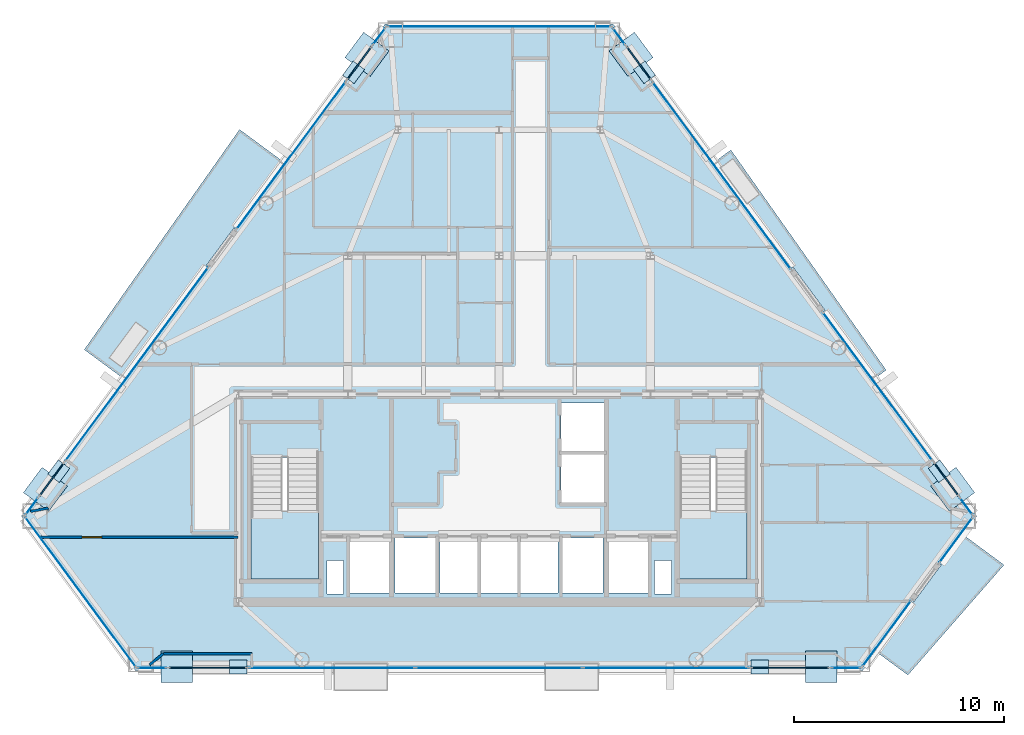
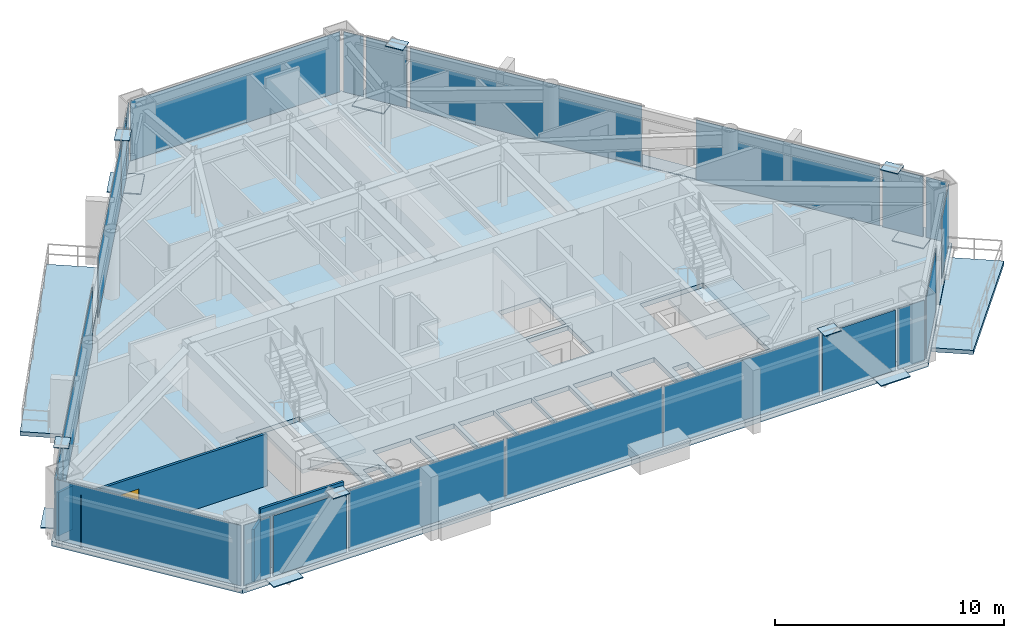
# One storey, part 7 of 13: 35 plates, 6 slabs, 4 walls, 1 door, 1 opening, 23 elements without a shape of their own.
"""IFC4 building model written with IfcOpenShell, lengths in metres."""

import ifcopenshell
import ifcopenshell.guid

model = None  # the IFC model being written
_history = None  # IfcOwnerHistory: only IFC2X3 demands one
_inside = {}  # id of a spatial element -> (the spatial element, [elements in it])
_under = {}  # id of a project, library or spatial element -> (it, [spatial elements below it])
_declared = {}  # id of a project -> (the project, [libraries it declares])
_typed = {}  # id of a type object -> (the type object, [elements of that type])
_made_of = {}  # id of a material, layer set ... -> (it, [elements and type objects made of it])


def new_model(schema):
    """Start an empty IFC model of exactly this schema.

    Asked for "IFC4X3", IfcOpenShell would pick the latest addendum, in which some entities
    have other attributes; the version numbers below select the first issue.
    IFC2X3 requires an IfcOwnerHistory on every rooted entity: one is made here for all.
    """
    global model, _history
    if schema == "IFC4X3":
        model = ifcopenshell.file(schema_version=(4, 3, 0, 0))
    else:
        model = ifcopenshell.file(schema=schema)
    _inside.clear()
    _under.clear()
    _declared.clear()
    _typed.clear()
    _made_of.clear()
    _history = None
    if model.schema == "IFC2X3":
        org = make("IfcOrganization", Name="unknown")
        user = make(
            "IfcPersonAndOrganization",
            ThePerson=make("IfcPerson", FamilyName="unknown"),
            TheOrganization=org,
        )
        app = make(
            "IfcApplication",
            ApplicationDeveloper=org,
            Version="unknown",
            ApplicationFullName="unknown",
            ApplicationIdentifier="unknown",
        )
        _history = make(
            "IfcOwnerHistory",
            OwningUser=user,
            OwningApplication=app,
            ChangeAction="ADDED",
            CreationDate=0,
        )
    return model


def make(cls, **values):
    """One entity of the class cls with the attributes given. An attribute that is None is left unset."""
    return model.create_entity(
        cls, **{name: value for name, value in values.items() if value is not None}
    )


def rooted(cls, **values):
    """An entity with a GlobalId (a new one), such as an element, a storey or a relation."""
    return make(cls, GlobalId=ifcopenshell.guid.new(), OwnerHistory=_history, **values)


def si_unit(unit_type, name, prefix=None):
    """IfcSIUnit, for example si_unit("LENGTHUNIT", "METRE", prefix="MILLI")."""
    return make("IfcSIUnit", UnitType=unit_type, Prefix=prefix, Name=name)


def assignment(units):
    """IfcUnitAssignment: the units of a project."""
    return None if units is None else make("IfcUnitAssignment", Units=units)


def point(xyz):
    """IfcCartesianPoint."""
    return None if xyz is None else make("IfcCartesianPoint", Coordinates=xyz)


def direction(xyz):
    """IfcDirection."""
    return None if xyz is None else make("IfcDirection", DirectionRatios=xyz)


def frame(location, z_axis=None, x_axis=None):
    """IfcAxis2Placement3D, a coordinate frame: its origin and axes. An axis left out is left unset."""
    return make(
        "IfcAxis2Placement3D",
        Location=point(location),
        Axis=direction(z_axis),
        RefDirection=direction(x_axis),
    )


def frame_2d(location, x_axis=None):
    """IfcAxis2Placement2D, a coordinate frame in the plane: its origin and x axis."""
    return make(
        "IfcAxis2Placement2D", Location=point(location), RefDirection=direction(x_axis)
    )


def origin():
    """The frame at (0, 0, 0) with its axes left unset."""
    return frame((0.0, 0.0, 0.0))


def origin_2d():
    """The frame at (0, 0) in the plane with its x axis left unset."""
    return frame_2d((0.0, 0.0))


def place(relative_to, where):
    """IfcLocalPlacement: puts the frame where relative to a parent placement (None: the world)."""
    return make(
        "IfcLocalPlacement", PlacementRelTo=relative_to, RelativePlacement=where
    )


def context(
    kind, dimensions, precision=None, world=None, true_north=None, identifier=None
):
    """IfcGeometricRepresentationContext, for example the 3D "Model" context."""
    return make(
        "IfcGeometricRepresentationContext",
        ContextIdentifier=identifier,
        ContextType=kind,
        CoordinateSpaceDimension=dimensions,
        Precision=precision,
        WorldCoordinateSystem=world,
        TrueNorth=true_north,
    )


def subcontext(parent, identifier, kind, view, scale=None):
    """IfcGeometricRepresentationSubContext, for example "Body" below "Model"."""
    return make(
        "IfcGeometricRepresentationSubContext",
        ContextIdentifier=identifier,
        ContextType=kind,
        ParentContext=parent,
        TargetScale=scale,
        TargetView=view,
    )


def project(units=None, contexts=None):
    """IfcProject with its units and contexts."""
    return rooted(
        "IfcProject",
        Name="project",
        RepresentationContexts=contexts,
        UnitsInContext=assignment(units),
    )


def spatial(cls, under=None, at=None, **own):
    """A site, building, storey or space (cls), placed at a placement, below another one or the project."""
    s = rooted(cls, ObjectPlacement=at, **own)
    if under is not None:
        _under.setdefault(under.id(), (under, []))[1].append(s)
    return s


def polyline(points):
    """IfcPolyline through the points."""
    return make("IfcPolyline", Points=[point(p) for p in points])


def profile(cls, at=None, kind="AREA", **sizes):
    """A parametric profile (cls). Its sizes go by their IFC names, for example OverallWidth=200.0."""
    return make(cls, ProfileType=kind, Position=at, **sizes)


def rectangle(**sizes):
    """IfcRectangleProfileDef."""
    return profile("IfcRectangleProfileDef", **sizes)


def outline(outer, holes=None, kind="AREA"):
    """IfcArbitraryClosedProfileDef: a profile drawn as a closed curve; with holes, ...WithVoids."""
    if holes is None:
        return make("IfcArbitraryClosedProfileDef", ProfileType=kind, OuterCurve=outer)
    return make(
        "IfcArbitraryProfileDefWithVoids",
        ProfileType=kind,
        OuterCurve=outer,
        InnerCurves=holes,
    )


def extrude(swept, where, along, depth):
    """IfcExtrudedAreaSolid: the profile swept, set in the frame where, extruded along a direction by depth."""
    return make(
        "IfcExtrudedAreaSolid",
        SweptArea=swept,
        Position=where,
        ExtrudedDirection=direction(along),
        Depth=depth,
    )


def shape(context_of_items, identifier, shape_type, items):
    """IfcShapeRepresentation: the items that make up one representation, for example the "Body"."""
    return make(
        "IfcShapeRepresentation",
        ContextOfItems=context_of_items,
        RepresentationIdentifier=identifier,
        RepresentationType=shape_type,
        Items=items,
    )


def source(mapping_origin, context_of_items, identifier, shape_type, items):
    """IfcRepresentationMap: a shape defined once, which mapped items show again and again."""
    return make(
        "IfcRepresentationMap",
        MappingOrigin=mapping_origin,
        MappedRepresentation=shape(context_of_items, identifier, shape_type, items),
    )


def transform(
    local_origin,
    x_axis=None,
    y_axis=None,
    z_axis=None,
    scale=None,
    scale2=None,
    scale3=None,
    uniform=True,
):
    """IfcCartesianTransformationOperator3D, or its non-uniform kind. x_axis, y_axis, z_axis: its Axis1, 2, 3."""
    if uniform:
        return make(
            "IfcCartesianTransformationOperator3D",
            Axis1=direction(x_axis),
            Axis2=direction(y_axis),
            LocalOrigin=point(local_origin),
            Scale=scale,
            Axis3=direction(z_axis),
        )
    return make(
        "IfcCartesianTransformationOperator3DnonUniform",
        Axis1=direction(x_axis),
        Axis2=direction(y_axis),
        LocalOrigin=point(local_origin),
        Scale=scale,
        Axis3=direction(z_axis),
        Scale2=scale2,
        Scale3=scale3,
    )


def mapped(mapping_source, mapping_target):
    """IfcMappedItem: shows the shape of a source again, moved by a transform."""
    return make(
        "IfcMappedItem", MappingSource=mapping_source, MappingTarget=mapping_target
    )


def material(Name=None, Category=None):
    """IfcMaterial."""
    return make("IfcMaterial", Name=Name, Category=Category)


def layer(
    of_material, thickness, ventilated=None, Name=None, Category=None, Priority=None
):
    """IfcMaterialLayer: one layer of a wall or slab, of a material (None: an air gap)."""
    return make(
        "IfcMaterialLayer",
        Material=of_material,
        LayerThickness=thickness,
        IsVentilated=ventilated,
        Name=Name,
        Category=Category,
        Priority=Priority,
    )


def layer_set(layers, Name=None):
    """IfcMaterialLayerSet."""
    return make("IfcMaterialLayerSet", MaterialLayers=layers, LayerSetName=Name)


def made_of(thing, what):
    """Note that an element or type object is made of a material, layer set ...; save() writes the relation."""
    if what is not None:
        _made_of.setdefault(what.id(), (what, []))[1].append(thing)
    return thing


def type_object(cls, material=None, **own):
    """A type object (cls), such as IfcWallType, which elements share."""
    return made_of(rooted(cls, **own), material)


def type_shapes(of_type, sources):
    """Give a type object the sources (RepresentationMaps) that its elements show as mapped items."""
    of_type.RepresentationMaps = sources


def element(
    cls,
    number,
    at=None,
    inside=None,
    cuts=None,
    type_object=None,
    material=None,
    context=None,
    identifier="Body",
    shape_type=None,
    held_by="IfcProductDefinitionShape",
    body=None,
    shapes=None,
    **own,
):
    """One element of the class cls, such as IfcWall. Its Tag is "e" and its number.

    at: its placement. inside: the storey or other place that contains it. cuts: it is an
    opening in that element (IfcRelVoidsElement). A single representation is given by context,
    identifier, shape_type and body (its items); several are given by shapes. held_by: the class
    of the entity that holds the representations. save() writes the other relations.
    """
    e = rooted(cls, Tag="e%d" % number, ObjectPlacement=at, **own)
    if body is not None:
        shapes = [shape(context, identifier, shape_type, body)]
    if shapes is not None:
        e.Representation = make(held_by, Representations=shapes)
    if inside is not None:
        _inside.setdefault(inside.id(), (inside, []))[1].append(e)
    if cuts is not None:
        rooted(
            "IfcRelVoidsElement", RelatingBuildingElement=cuts, RelatedOpeningElement=e
        )
    if type_object is not None:
        _typed.setdefault(type_object.id(), (type_object, []))[1].append(e)
    return made_of(e, material)


def fill(opening, filler):
    """IfcRelFillsElement: the door or window that sits in an opening."""
    return rooted(
        "IfcRelFillsElement",
        RelatingOpeningElement=opening,
        RelatedBuildingElement=filler,
    )


def aggregate(whole, parts):
    """IfcRelAggregates: a whole, such as a stair, and the parts it consists of."""
    return rooted("IfcRelAggregates", RelatingObject=whole, RelatedObjects=parts)


def save(model, path):
    """Write the relations noted so far, then the file.

    IfcRelAggregates (storeys below a building ...), IfcRelContainedInSpatialStructure (elements
    in a storey), IfcRelDefinesByType, IfcRelAssociatesMaterial and IfcRelDeclares: one each for
    every whole, place, type object, material and project.
    """
    for whole, parts in _under.values():
        aggregate(whole, parts)
    for where, things in _inside.values():
        rooted(
            "IfcRelContainedInSpatialStructure",
            RelatedElements=things,
            RelatingStructure=where,
        )
    for kind, things in _typed.values():
        rooted("IfcRelDefinesByType", RelatedObjects=things, RelatingType=kind)
    for what, things in _made_of.values():
        rooted("IfcRelAssociatesMaterial", RelatedObjects=things, RelatingMaterial=what)
    for by, libraries in _declared.values():
        rooted("IfcRelDeclares", RelatingContext=by, RelatedDefinitions=libraries)
    model.write(path)


model = new_model("IFC4")

# Units and contexts
model_context = context("Model", 3, precision=1e-05, world=origin(), true_north=direction((0.0, 1.0)))
body_context = subcontext(model_context, "Body", "Model", "MODEL_VIEW")
ifc_project = project(units=[si_unit("LENGTHUNIT", "METRE"), si_unit("AREAUNIT", "SQUARE_METRE"), si_unit("VOLUMEUNIT", "CUBIC_METRE"), si_unit("PLANEANGLEUNIT", "RADIAN"), si_unit("MASSUNIT", "GRAM", prefix="KILO")], contexts=[model_context])

# Site, building, storey
site_placement = place(None, origin())
site = spatial("IfcSite", under=ifc_project, at=site_placement, CompositionType="ELEMENT")
building_placement = place(site_placement, origin())
building = spatial("IfcBuilding", under=site, at=building_placement, Name="Talgorran Terracotta Tower", CompositionType="ELEMENT")
storey_placement = place(building_placement, frame((0.0, 0.0, 132.89990234375)))
storey = spatial("IfcBuildingStorey", under=building, at=storey_placement, Name="L34", CompositionType="ELEMENT", Elevation=132.89990234375)

# Plates
ifc_material_1 = material(Name="Steel Grade 350 (350L0)", Category="steel")
ifc_layer_1 = layer(ifc_material_1, 0.035888671875, Name="PL_CAP_MN06")
ifc_layer_set_1 = layer_set([ifc_layer_1], Name="Steel Grade 350 (350L0)")
plate_type_1 = type_object("IfcPlateType", Name="PL_CAP_MN06", PredefinedType="USERDEFINED", material=ifc_layer_set_1)
for number, where, z_axis, x_axis, name in (
    (1, (-12.41162109375, -17.178955078125, 3.322265625), (0.0, 0.0, 1.0), (1.0, 0.0, 0.0), "L34 Diagonal Frame End Cap SWF Top"),
    (2, (12.41162109375, -17.178955078125, 3.322265625), (0.0, 0.0, 1.0), (-1.0, 0.0, 0.0), "L34 Diagonal Frame End Cap SEF Top"),
    (3, (20.96142578125, -7.85888671875, 3.322265625), (0.0, 0.0, 1.0), (-0.594401806766, 0.804168198895, 0.0), "L34 Diagonal Frame End Cap NEL Top"),
    (4, (6.925537109375, 11.13232421875, 3.322265625), (0.0, 0.0, 1.0), (0.594401806766, -0.804168198895, 0.0), "L34 Diagonal Frame End Cap NEU Top"),
    (5, (-6.925537109375, 11.13232421875, 3.322265625), (0.0, 0.0, 1.0), (-0.594401806766, -0.804168198895, 0.0), "L34 Diagonal Frame End Cap NWU Top"),
    (6, (-20.96142578125, -7.85888671875, 3.322265625), (0.0, 0.0, 1.0), (0.594401806766, 0.804168198895, 0.0), "L34 Diagonal Frame End Cap NWL Top"),
):
    element("IfcPlate", number, at=place(storey_placement, frame(where, z_axis=z_axis, x_axis=x_axis)), inside=storey, type_object=plate_type_1, Name=name, ObjectType="CAP PLATE", PredefinedType="USERDEFINED", context=body_context, shape_type="SweptSolid", body=[
        extrude(rectangle(XDim=0.840087890625, YDim=0.679931640625, at=origin_2d()), origin(), (0.0, 0.0, 1.0), 0.035888671875),
    ])
ifc_layer_2 = layer(ifc_material_1, 0.054931640625, Name="PL_NODE_MN02")
ifc_layer_set_2 = layer_set([ifc_layer_2], Name="Steel Grade 350 (350L0)")
plate_type_2 = type_object("IfcPlateType", Name="PL_NODE_MN02", PredefinedType="USERDEFINED", material=ifc_layer_set_2)
for number, where, z_axis, x_axis, name in (
    (7, (-15.34228515625, -17.178955078125, -0.017578125), (0.0, 0.0, 1.0), (1.0, 0.0, 0.0), "L34 Diagonal Frame End Cap SWF Bot"),
    (8, (15.34228515625, -17.178955078125, -0.017578125), (0.0, 0.0, 1.0), (-1.0, 0.0, 0.0), "L34 Diagonal Frame End Cap SEF Bot"),
    (9, (21.597900390625, -8.72021484375, -0.017578125), (0.0, 0.0, 1.0), (-0.594401806766, 0.804168198895, 0.0), "L34 Diagonal Frame End Cap NEL Bot"),
    (10, (6.2890625, 11.993408203125, -0.017578125), (0.0, 0.0, 1.0), (0.594401806766, -0.804168198895, 0.0), "L34 Diagonal Frame End Cap NEU Bot"),
    (11, (-6.2890625, 11.993408203125, -0.017578125), (0.0, 0.0, 1.0), (-0.594401806766, -0.804168198895, 0.0), "L34 Diagonal Frame End Cap NWU Bot"),
    (12, (-21.597900390625, -8.72021484375, -0.017578125), (0.0, 0.0, 1.0), (0.594401806766, 0.804168198895, 0.0), "L34 Diagonal Frame End Cap NWL Bot"),
):
    element("IfcPlate", number, at=place(storey_placement, frame(where, z_axis=z_axis, x_axis=x_axis)), inside=storey, type_object=plate_type_2, Name=name, ObjectType="NODE PLATE", PredefinedType="USERDEFINED", context=body_context, shape_type="SweptSolid", body=[
        extrude(rectangle(XDim=1.5, YDim=1.5, at=origin_2d()), origin(), (0.0, 0.0, 1.0), 0.054931640625),
    ])

# Slabs
ifc_material_2 = material(Name="Concrete C40/50", Category="concrete")
ifc_layer_3 = layer(ifc_material_2, 0.219970703125, Name="SL_BALCONY_220")
ifc_layer_set_3 = layer_set([ifc_layer_3], Name="Concrete C40/50")
slab_type_1 = type_object("IfcSlabType", Name="SL_BALCONY_220", PredefinedType="FLOOR", material=ifc_layer_set_3)
slab_1_placement = place(storey_placement, frame((0.0, 0.0, -0.219970703125)))
element("IfcSlab", 13, at=slab_1_placement, inside=storey, type_object=slab_type_1, Name="L34 Outdoor Wave Balcony BAL-NE", PredefinedType="FLOOR", context=body_context, shape_type="SweptSolid", body=[
    extrude(outline(polyline([(10.28515625, 6.881103515625), (17.905517578125, -3.4296875), (18.42822265625, -3.043701171875), (11.035400390625, 7.435302734375), (10.28515625, 6.881103515625)])), origin(), (0.0, 0.0, 1.0), 0.219970703125),
])
slab_2_placement = place(storey_placement, frame((0.0, 0.0, -0.219970703125)))
element("IfcSlab", 14, at=slab_2_placement, inside=storey, type_object=slab_type_1, Name="L34 Outdoor Wave Balcony BAL-NW", PredefinedType="FLOOR", context=body_context, shape_type="SweptSolid", body=[
    extrude(outline(polyline([(-17.905517578125, -3.4296875), (-10.28515625, 6.881103515625), (-12.352294921875, 8.40869140625), (-19.7451171875, -2.0703125), (-17.905517578125, -3.4296875)])), origin(), (0.0, 0.0, 1.0), 0.219970703125),
])
slab_3_placement = place(storey_placement, frame((0.0, 0.0, -0.219970703125)))
element("IfcSlab", 15, at=slab_3_placement, inside=storey, type_object=slab_type_1, Name="L34 Outdoor Wave Balcony BAL-SE", PredefinedType="FLOOR", context=body_context, shape_type="SweptSolid", body=[
    extrude(outline(polyline([(22.10400390625, -10.889892578125), (17.98193359375, -16.46728515625), (19.464111328125, -17.5625), (24.041015625, -12.3212890625), (22.10400390625, -10.889892578125)])), origin(), (0.0, 0.0, 1.0), 0.219970703125),
])

# Stair, slab
stair_type = type_object("IfcStairType", Name="ST_FIRE_SCISSOR", PredefinedType="HALF_TURN_STAIR", material=ifc_material_2)
stair_1_placement = place(storey_placement, origin())
stair_1 = element("IfcStair", 16, at=stair_1_placement, inside=storey, type_object=stair_type, Name="L34 West Protected Fire Stair ST-01", PredefinedType="HALF_TURN_STAIR")
ifc_layer_4 = layer(ifc_material_2, 0.199951171875, Name="SL_LANDING_200")
ifc_layer_set_4 = layer_set([ifc_layer_4], Name="Concrete C40/50")
slab_type_2 = type_object("IfcSlabType", Name="SL_LANDING_200", PredefinedType="LANDING", material=ifc_layer_set_4)
slab_4_placement = place(storey_placement, frame((0.0, 0.0, 1.60009765625)))
slab_4 = element("IfcSlab", 17, at=slab_4_placement, type_object=slab_type_2, Name="ST-01 landing 1", PredefinedType="LANDING", context=body_context, shape_type="SweptSolid", body=[
    extrude(outline(polyline([(-11.800048828125, -9.719970703125), (-11.800048828125, -13.0), (-8.60009765625, -13.0), (-8.60009765625, -9.719970703125), (-11.800048828125, -9.719970703125)])), origin(), (0.0, 0.0, 1.0), 0.199951171875),
])
aggregate(stair_1, [slab_4])

stair_2_placement = place(storey_placement, origin())
stair_2 = element("IfcStair", 18, at=stair_2_placement, inside=storey, type_object=stair_type, Name="L34 East Protected Fire Stair ST-02", PredefinedType="HALF_TURN_STAIR")
slab_5_placement = place(storey_placement, frame((0.0, 0.0, 1.60009765625)))
slab_5 = element("IfcSlab", 19, at=slab_5_placement, type_object=slab_type_2, Name="ST-02 landing 1", PredefinedType="LANDING", context=body_context, shape_type="SweptSolid", body=[
    extrude(outline(polyline([(8.60009765625, -9.719970703125), (8.60009765625, -13.0), (11.800048828125, -13.0), (11.800048828125, -9.719970703125), (8.60009765625, -9.719970703125)])), origin(), (0.0, 0.0, 1.0), 0.199951171875),
])
aggregate(stair_2, [slab_5])

# Slab
ifc_layer_5 = layer(ifc_material_2, 0.25, Name="SL_TOWER_250")
ifc_layer_set_5 = layer_set([ifc_layer_5], Name="Concrete C40/50")
slab_type_3 = type_object("IfcSlabType", Name="SL_TOWER_250", PredefinedType="FLOOR", material=ifc_layer_set_5)
slab_6_placement = place(storey_placement, frame((0.0, 0.0, -0.25)))
element("IfcSlab", 20, at=slab_6_placement, inside=storey, type_object=slab_type_3, Name="Storey L34 Structural Floor Slab", PredefinedType="FLOOR", context=body_context, shape_type="SweptSolid", body=[
    extrude(outline(polyline([(-22.742919921875, -10.000244140625), (-17.319091796875, -17.3388671875), (17.319091796875, -17.3388671875), (22.742919921875, -10.000244140625), (5.423828125, 13.43359375), (-5.423828125, 13.43359375), (-22.742919921875, -10.000244140625)]), holes=[polyline([(-11.800048828125, -7.199951171875), (-11.800048828125, -13.0), (-8.60009765625, -13.0), (-8.60009765625, -7.199951171875), (-11.800048828125, -7.199951171875)]), polyline([(8.60009765625, -7.199951171875), (8.60009765625, -13.0), (11.800048828125, -13.0), (11.800048828125, -7.199951171875), (8.60009765625, -7.199951171875)]), polyline([(-7.10009765625, -13.64990234375), (-5.199951171875, -13.64990234375), (-5.199951171875, -11.050048828125), (-7.10009765625, -11.050048828125), (-7.10009765625, -13.64990234375)]), polyline([(5.199951171875, -13.64990234375), (7.10009765625, -13.64990234375), (7.10009765625, -11.050048828125), (5.199951171875, -11.050048828125), (5.199951171875, -13.64990234375)]), polyline([(3.0, -13.64990234375), (4.949951171875, -13.64990234375), (4.949951171875, -11.050048828125), (3.0, -11.050048828125), (3.0, -13.64990234375)]), polyline([(-4.949951171875, -13.64990234375), (-3.0, -13.64990234375), (-3.0, -11.050048828125), (-4.949951171875, -11.050048828125), (-4.949951171875, -13.64990234375)]), polyline([(2.949951171875, -9.35009765625), (5.050048828125, -9.35009765625), (5.050048828125, -7.050048828125), (2.949951171875, -7.050048828125), (2.949951171875, -9.35009765625)]), polyline([(2.949951171875, -6.89990234375), (5.050048828125, -6.89990234375), (5.050048828125, -4.60009765625), (2.949951171875, -4.60009765625), (2.949951171875, -6.89990234375)]), polyline([(-2.800048828125, -13.64990234375), (-1.0, -13.64990234375), (-1.0, -11.050048828125), (-2.800048828125, -11.050048828125), (-2.800048828125, -13.64990234375)]), polyline([(-0.89990234375, -13.64990234375), (0.89990234375, -13.64990234375), (0.89990234375, -11.050048828125), (-0.89990234375, -11.050048828125), (-0.89990234375, -13.64990234375)]), polyline([(1.0, -13.64990234375), (2.800048828125, -13.64990234375), (2.800048828125, -11.050048828125), (1.0, -11.050048828125), (1.0, -13.64990234375)]), polyline([(-8.199951171875, -13.699951171875), (-7.39990234375, -13.699951171875), (-7.39990234375, -12.10009765625), (-8.199951171875, -12.10009765625), (-8.199951171875, -13.699951171875)]), polyline([(7.39990234375, -13.699951171875), (8.199951171875, -13.699951171875), (8.199951171875, -12.10009765625), (7.39990234375, -12.10009765625), (7.39990234375, -13.699951171875)])]), origin(), (0.0, 0.0, 1.0), 0.25),
])

# Curtain wall, plate
ifc_material_3 = material(Name="Unitised Low-E Double Glazing", Category="glass")
ifc_layer_6 = layer(ifc_material_3, 0.199951171875, Name="CW_SYS2_RES_LOW")
ifc_layer_set_6 = layer_set([ifc_layer_6], Name="Unitised Low-E Double Glazing")
curtain_wall_type = type_object("IfcCurtainWallType", Name="CW_SYS2_RES_LOW", PredefinedType="NOTDEFINED", material=ifc_layer_set_6)
curtain_wall_1_placement = place(storey_placement, origin())
curtain_wall_1 = element("IfcCurtainWall", 21, at=curtain_wall_1_placement, inside=storey, type_object=curtain_wall_type, Name="CW-L34-F0", PredefinedType="NOTDEFINED")
ifc_material_4 = material(Name="Low-E Laminated Vision Glass", Category="glass")
ifc_layer_7 = layer(ifc_material_4, 0.028076171875, Name="PLT_VISION_28")
ifc_layer_set_7 = layer_set([ifc_layer_7], Name="Low-E Laminated Vision Glass")
plate_type_3 = type_object("IfcPlateType", Name="PLT_VISION_28", PredefinedType="CURTAIN_PANEL", material=ifc_layer_set_7)
shared_shape_1 = source(origin(), body_context, "Body", "SweptSolid", [
    extrude(rectangle(XDim=8.84619140625, YDim=0.028076171875, at=origin_2d()), origin(), (0.0, 0.0, 1.0), 3.219970703125),
])
plate_1_placement = place(storey_placement, frame((-19.92626953125, -13.609619140625, 0.06494140625), z_axis=(0.0, 0.0, 1.0), x_axis=(0.594357856926, -0.80420068261, 0.0)))
plate_1 = element("IfcPlate", 22, at=plate_1_placement, type_object=plate_type_3, Name="CW-L34-0 panel 1.1", PredefinedType="CURTAIN_PANEL", context=body_context, shape_type="MappedRepresentation", body=[
    mapped(shared_shape_1, transform((0.0, 0.0, 0.0), scale=1.0)),
])
aggregate(curtain_wall_1, [plate_1])

curtain_wall_2_placement = place(storey_placement, origin())
curtain_wall_2 = element("IfcCurtainWall", 23, at=curtain_wall_2_placement, inside=storey, type_object=curtain_wall_type, Name="CW-L34-F4", PredefinedType="NOTDEFINED")
shared_shape_2 = source(origin(), body_context, "Body", "SweptSolid", [
    extrude(rectangle(XDim=10.5966796875, YDim=0.028076171875, at=origin_2d()), origin(), (0.0, 0.0, 1.0), 3.219970703125),
])
plate_2_placement = place(storey_placement, frame((0.0, 13.3134765625, 0.06494140625), z_axis=(0.0, 0.0, 1.0), x_axis=(-1.0, 0.0, 0.0)))
plate_2 = element("IfcPlate", 24, at=plate_2_placement, type_object=plate_type_3, Name="CW-L34-4 panel 1.1", PredefinedType="CURTAIN_PANEL", context=body_context, shape_type="MappedRepresentation", body=[
    mapped(shared_shape_2, transform((0.0, 0.0, 0.0), scale=1.0)),
])
aggregate(curtain_wall_2, [plate_2])

curtain_wall_3_placement = place(storey_placement, origin())
curtain_wall_3 = element("IfcCurtainWall", 25, at=curtain_wall_3_placement, inside=storey, type_object=curtain_wall_type, Name="CW-L34-F1", PredefinedType="NOTDEFINED")
shared_shape_3 = source(origin(), body_context, "Body", "SweptSolid", [
    extrude(rectangle(XDim=1.34814453125, YDim=0.028076171875, at=origin_2d()), origin(), (0.0, 0.0, 1.0), 3.219970703125),
])
plate_3_placement = place(storey_placement, frame((-16.51953125, -17.218994140625, 0.06494140625), z_axis=(0.0, 0.0, 1.0), x_axis=(1.0, 0.0, 0.0)))
plate_3 = element("IfcPlate", 26, at=plate_3_placement, type_object=plate_type_3, Name="CW-L34-1 panel 1.1", PredefinedType="CURTAIN_PANEL", context=body_context, shape_type="MappedRepresentation", body=[
    mapped(shared_shape_3, transform((0.0, 0.0, 0.0), scale=1.0)),
])
aggregate(curtain_wall_3, [plate_3])

curtain_wall_4_placement = place(storey_placement, origin())
curtain_wall_4 = element("IfcCurtainWall", 27, at=curtain_wall_4_placement, inside=storey, type_object=curtain_wall_type, Name="CW-L34-F1E", PredefinedType="NOTDEFINED")
plate_4_placement = place(storey_placement, frame((16.51953125, -17.218994140625, 0.06494140625), z_axis=(0.0, 0.0, 1.0), x_axis=(1.0, 0.0, 0.0)))
plate_4 = element("IfcPlate", 28, at=plate_4_placement, type_object=plate_type_3, Name="CW-L34-1E panel 1.1", PredefinedType="CURTAIN_PANEL", context=body_context, shape_type="MappedRepresentation", body=[
    mapped(shared_shape_3, transform((0.0, 0.0, 0.0), scale=1.0)),
])
aggregate(curtain_wall_4, [plate_4])

curtain_wall_5_placement = place(storey_placement, origin())
curtain_wall_5 = element("IfcCurtainWall", 29, at=curtain_wall_5_placement, inside=storey, type_object=curtain_wall_type, Name="CW-L34-F1B", PredefinedType="NOTDEFINED")
ifc_material_5 = material(Name="Terracotta Insulated Spandrel", Category="masonry")
ifc_layer_8 = layer(ifc_material_5, 0.06494140625, Name="PLT_SPANDREL_TERRA")
ifc_layer_set_8 = layer_set([ifc_layer_8], Name="Terracotta Insulated Spandrel")
plate_type_4 = type_object("IfcPlateType", Name="PLT_SPANDREL_TERRA", PredefinedType="SHEET", material=ifc_layer_set_8)
shared_shape_4 = source(origin(), body_context, "Body", "SweptSolid", [
    extrude(rectangle(XDim=3.677734375, YDim=0.06494140625, at=origin_2d()), origin(), (0.0, 0.0, 1.0), 3.219970703125),
])
plate_5_placement = place(storey_placement, frame((-13.86669921875, -17.218994140625, 0.06494140625), z_axis=(0.0, 0.0, 1.0), x_axis=(1.0, 0.0, 0.0)))
plate_5 = element("IfcPlate", 30, at=plate_5_placement, type_object=plate_type_4, Name="CW-L34-1B panel 1.1", PredefinedType="CURTAIN_PANEL", context=body_context, shape_type="MappedRepresentation", body=[
    mapped(shared_shape_4, transform((0.0, 0.0, 0.0), scale=1.0)),
])
aggregate(curtain_wall_5, [plate_5])

curtain_wall_6_placement = place(storey_placement, origin())
curtain_wall_6 = element("IfcCurtainWall", 31, at=curtain_wall_6_placement, inside=storey, type_object=curtain_wall_type, Name="CW-L34-F1D", PredefinedType="NOTDEFINED")
plate_6_placement = place(storey_placement, frame((13.86669921875, -17.218994140625, 0.06494140625), z_axis=(0.0, 0.0, 1.0), x_axis=(1.0, 0.0, 0.0)))
plate_6 = element("IfcPlate", 32, at=plate_6_placement, type_object=plate_type_4, Name="CW-L34-1D panel 1.1", PredefinedType="CURTAIN_PANEL", context=body_context, shape_type="MappedRepresentation", body=[
    mapped(shared_shape_4, transform((0.0, 0.0, 0.0), scale=1.0)),
])
aggregate(curtain_wall_6, [plate_6])

# Curtain wall, plates
curtain_wall_7_placement = place(storey_placement, origin())
curtain_wall_7 = element("IfcCurtainWall", 33, at=curtain_wall_7_placement, inside=storey, type_object=curtain_wall_type, Name="CW-L34-F1C", PredefinedType="NOTDEFINED")
shared_shape_5 = source(origin(), body_context, "Body", "SweptSolid", [
    extrude(rectangle(XDim=7.870849609375, YDim=0.028076171875, at=origin_2d()), origin(), (0.0, 0.0, 1.0), 3.219970703125),
])
plate_7_placement = place(storey_placement, frame((-7.9521484375, -17.218994140625, 0.06494140625), z_axis=(0.0, 0.0, 1.0), x_axis=(1.0, 0.0, 0.0)))
plate_7 = element("IfcPlate", 34, at=plate_7_placement, type_object=plate_type_3, Name="CW-L34-1C panel 1.1", PredefinedType="CURTAIN_PANEL", context=body_context, shape_type="MappedRepresentation", body=[
    mapped(shared_shape_5, transform((0.0, 0.0, 0.0), scale=1.0)),
])
plate_8_placement = place(storey_placement, frame((7.9521484375, -17.218994140625, 0.06494140625), z_axis=(0.0, 0.0, 1.0), x_axis=(1.0, 0.0, 0.0)))
plate_8 = element("IfcPlate", 35, at=plate_8_placement, type_object=plate_type_3, Name="CW-L34-1C panel 3.1", PredefinedType="CURTAIN_PANEL", context=body_context, shape_type="MappedRepresentation", body=[
    mapped(shared_shape_5, transform((0.0, 0.0, 0.0), scale=1.0)),
])
shared_shape_6 = source(origin(), body_context, "Body", "SweptSolid", [
    extrude(rectangle(XDim=7.903564453125, YDim=0.028076171875, at=origin_2d()), origin(), (0.0, 0.0, 1.0), 3.219970703125),
])
plate_9_placement = place(storey_placement, frame((0.0, -17.218994140625, 0.06494140625), z_axis=(0.0, 0.0, 1.0), x_axis=(1.0, 0.0, 0.0)))
plate_9 = element("IfcPlate", 36, at=plate_9_placement, type_object=plate_type_3, Name="CW-L34-1C panel 2.1", PredefinedType="CURTAIN_PANEL", context=body_context, shape_type="MappedRepresentation", body=[
    mapped(shared_shape_6, transform((0.0, 0.0, 0.0), scale=1.0)),
])
aggregate(curtain_wall_7, [plate_7, plate_9, plate_8])

# Curtain wall, plate
curtain_wall_8_placement = place(storey_placement, origin())
curtain_wall_8 = element("IfcCurtainWall", 37, at=curtain_wall_8_placement, inside=storey, type_object=curtain_wall_type, Name="CW-L34-F30", PredefinedType="NOTDEFINED")
shared_shape_7 = source(origin(), body_context, "Body", "SweptSolid", [
    extrude(rectangle(XDim=3.848876953125, YDim=0.028076171875, at=origin_2d()), origin(), (0.0, 0.0, 1.0), 3.219970703125),
])
plate_10_placement = place(storey_placement, frame((18.46484375, -15.586669921875, 0.06494140625), z_axis=(0.0, 0.0, 1.0), x_axis=(0.594351487898, 0.804205389706, 0.0)))
plate_10 = element("IfcPlate", 38, at=plate_10_placement, type_object=plate_type_3, Name="CW-L34-30 panel 1.1", PredefinedType="CURTAIN_PANEL", context=body_context, shape_type="MappedRepresentation", body=[
    mapped(shared_shape_7, transform((0.0, 0.0, 0.0), scale=1.0)),
])
aggregate(curtain_wall_8, [plate_10])

curtain_wall_9_placement = place(storey_placement, origin())
curtain_wall_9 = element("IfcCurtainWall", 39, at=curtain_wall_9_placement, inside=storey, type_object=curtain_wall_type, Name="CW-L34-F31", PredefinedType="NOTDEFINED")
shared_shape_8 = source(origin(), body_context, "Body", "SweptSolid", [
    extrude(rectangle(XDim=2.627197265625, YDim=0.028076171875, at=origin_2d()), origin(), (0.0, 0.0, 1.0), 3.219970703125),
])
plate_11_placement = place(storey_placement, frame((21.75048828125, -11.14111328125, 0.06494140625), z_axis=(0.0, 0.0, 1.0), x_axis=(0.59437372462, 0.804188955086, 0.0)))
plate_11 = element("IfcPlate", 40, at=plate_11_placement, type_object=plate_type_3, Name="CW-L34-31 panel 1.1", PredefinedType="CURTAIN_PANEL", context=body_context, shape_type="MappedRepresentation", body=[
    mapped(shared_shape_8, transform((0.0, 0.0, 0.0), scale=1.0)),
])
aggregate(curtain_wall_9, [plate_11])

curtain_wall_10_placement = place(storey_placement, origin())
curtain_wall_10 = element("IfcCurtainWall", 41, at=curtain_wall_10_placement, inside=storey, type_object=curtain_wall_type, Name="CW-L34-F40", PredefinedType="NOTDEFINED")
shared_shape_9 = source(origin(), body_context, "Body", "SweptSolid", [
    extrude(rectangle(XDim=0.96923828125, YDim=0.028076171875, at=origin_2d()), origin(), (0.0, 0.0, 1.0), 3.219970703125),
])
plate_12_placement = place(storey_placement, frame((22.2431640625, -9.526123046875, 0.06494140625), z_axis=(0.0, 0.0, 1.0), x_axis=(-0.594380828424, 0.804183704636, 0.0)))
plate_12 = element("IfcPlate", 42, at=plate_12_placement, type_object=plate_type_3, Name="CW-L34-40 panel 1.1", PredefinedType="CURTAIN_PANEL", context=body_context, shape_type="MappedRepresentation", body=[
    mapped(shared_shape_9, transform((0.0, 0.0, 0.0), scale=1.0)),
])
aggregate(curtain_wall_10, [plate_12])

curtain_wall_11_placement = place(storey_placement, origin())
curtain_wall_11 = element("IfcCurtainWall", 43, at=curtain_wall_11_placement, inside=storey, type_object=curtain_wall_type, Name="CW-L34-F61C", PredefinedType="NOTDEFINED")
plate_13_placement = place(storey_placement, frame((-22.2431640625, -9.526123046875, 0.06494140625), z_axis=(0.0, 0.0, 1.0), x_axis=(-0.594380828424, -0.804183704636, 0.0)))
plate_13 = element("IfcPlate", 44, at=plate_13_placement, type_object=plate_type_3, Name="CW-L34-61C panel 1.1", PredefinedType="CURTAIN_PANEL", context=body_context, shape_type="MappedRepresentation", body=[
    mapped(shared_shape_9, transform((0.0, 0.0, 0.0), scale=1.0)),
])
aggregate(curtain_wall_11, [plate_13])

curtain_wall_12_placement = place(storey_placement, origin())
curtain_wall_12 = element("IfcCurtainWall", 45, at=curtain_wall_12_placement, inside=storey, type_object=curtain_wall_type, Name="CW-L34-F40B", PredefinedType="NOTDEFINED")
shared_shape_10 = source(origin(), body_context, "Body", "SweptSolid", [
    extrude(rectangle(XDim=1.932373046875, YDim=0.06494140625, at=origin_2d()), origin(), (0.0, 0.0, 1.0), 3.219970703125),
])
type_shapes(plate_type_4, [shared_shape_4, shared_shape_10])
plate_14_placement = place(storey_placement, frame((21.2978515625, -8.246826171875, 0.06494140625), z_axis=(0.0, 0.0, 1.0), x_axis=(-0.594344703912, 0.804210403397, 0.0)))
plate_14 = element("IfcPlate", 46, at=plate_14_placement, type_object=plate_type_4, Name="CW-L34-40B panel 1.1", PredefinedType="CURTAIN_PANEL", context=body_context, shape_type="MappedRepresentation", body=[
    mapped(shared_shape_10, transform((0.0, 0.0, 0.0), scale=1.0)),
])
aggregate(curtain_wall_12, [plate_14])

curtain_wall_13_placement = place(storey_placement, origin())
curtain_wall_13 = element("IfcCurtainWall", 47, at=curtain_wall_13_placement, inside=storey, type_object=curtain_wall_type, Name="CW-L34-F41B", PredefinedType="NOTDEFINED")
plate_15_placement = place(storey_placement, frame((6.653564453125, 11.56787109375, 0.06494140625), z_axis=(0.0, 0.0, 1.0), x_axis=(-0.594344703912, 0.804210403397, 0.0)))
plate_15 = element("IfcPlate", 48, at=plate_15_placement, type_object=plate_type_4, Name="CW-L34-41B panel 1.1", PredefinedType="CURTAIN_PANEL", context=body_context, shape_type="MappedRepresentation", body=[
    mapped(shared_shape_10, transform((0.0, 0.0, 0.0), scale=1.0)),
])
aggregate(curtain_wall_13, [plate_15])

curtain_wall_14_placement = place(storey_placement, origin())
curtain_wall_14 = element("IfcCurtainWall", 49, at=curtain_wall_14_placement, inside=storey, type_object=curtain_wall_type, Name="CW-L34-F60B", PredefinedType="NOTDEFINED")
plate_16_placement = place(storey_placement, frame((-6.653564453125, 11.56787109375, 0.06494140625), z_axis=(0.0, 0.0, 1.0), x_axis=(-0.594344703912, -0.804210403397, 0.0)))
plate_16 = element("IfcPlate", 50, at=plate_16_placement, type_object=plate_type_4, Name="CW-L34-60B panel 1.1", PredefinedType="CURTAIN_PANEL", context=body_context, shape_type="MappedRepresentation", body=[
    mapped(shared_shape_10, transform((0.0, 0.0, 0.0), scale=1.0)),
])
aggregate(curtain_wall_14, [plate_16])

curtain_wall_15_placement = place(storey_placement, origin())
curtain_wall_15 = element("IfcCurtainWall", 51, at=curtain_wall_15_placement, inside=storey, type_object=curtain_wall_type, Name="CW-L34-F61B", PredefinedType="NOTDEFINED")
plate_17_placement = place(storey_placement, frame((-21.2978515625, -8.246826171875, 0.06494140625), z_axis=(0.0, 0.0, 1.0), x_axis=(-0.594344703912, -0.804210403397, 0.0)))
plate_17 = element("IfcPlate", 52, at=plate_17_placement, type_object=plate_type_4, Name="CW-L34-61B panel 1.1", PredefinedType="CURTAIN_PANEL", context=body_context, shape_type="MappedRepresentation", body=[
    mapped(shared_shape_10, transform((0.0, 0.0, 0.0), scale=1.0)),
])
aggregate(curtain_wall_15, [plate_17])

curtain_wall_16_placement = place(storey_placement, origin())
curtain_wall_16 = element("IfcCurtainWall", 53, at=curtain_wall_16_placement, inside=storey, type_object=curtain_wall_type, Name="CW-L34-F40C", PredefinedType="NOTDEFINED")
shared_shape_11 = source(origin(), body_context, "Body", "SweptSolid", [
    extrude(rectangle(XDim=8.768310546875, YDim=0.028076171875, at=origin_2d()), origin(), (0.0, 0.0, 1.0), 3.219970703125),
])
plate_18_placement = place(storey_placement, frame((18.03466796875, -3.83154296875, 0.06494140625), z_axis=(0.0, 0.0, 1.0), x_axis=(-0.594355354425, 0.804202532119, 0.0)))
plate_18 = element("IfcPlate", 54, at=plate_18_placement, type_object=plate_type_3, Name="CW-L34-40C panel 1.1", PredefinedType="CURTAIN_PANEL", context=body_context, shape_type="MappedRepresentation", body=[
    mapped(shared_shape_11, transform((0.0, 0.0, 0.0), scale=1.0)),
])
aggregate(curtain_wall_16, [plate_18])

curtain_wall_17_placement = place(storey_placement, origin())
curtain_wall_17 = element("IfcCurtainWall", 55, at=curtain_wall_17_placement, inside=storey, type_object=curtain_wall_type, Name="CW-L34-F41", PredefinedType="NOTDEFINED")
shared_shape_12 = source(origin(), body_context, "Body", "SweptSolid", [
    extrude(rectangle(XDim=11.068359375, YDim=0.028076171875, at=origin_2d()), origin(), (0.0, 0.0, 1.0), 3.219970703125),
])
plate_19_placement = place(storey_placement, frame((10.60009765625, 6.2275390625, 0.06494140625), z_axis=(0.0, 0.0, 1.0), x_axis=(-0.594357163999, 0.804201194729, 0.0)))
plate_19 = element("IfcPlate", 56, at=plate_19_placement, type_object=plate_type_3, Name="CW-L34-41 panel 1.1", PredefinedType="CURTAIN_PANEL", context=body_context, shape_type="MappedRepresentation", body=[
    mapped(shared_shape_12, transform((0.0, 0.0, 0.0), scale=1.0)),
])
aggregate(curtain_wall_17, [plate_19])

curtain_wall_18_placement = place(storey_placement, origin())
curtain_wall_18 = element("IfcCurtainWall", 57, at=curtain_wall_18_placement, inside=storey, type_object=curtain_wall_type, Name="CW-L34-F41C", PredefinedType="NOTDEFINED")
shared_shape_13 = source(origin(), body_context, "Body", "SweptSolid", [
    extrude(rectangle(XDim=0.959716796875, YDim=0.028076171875, at=origin_2d()), origin(), (0.0, 0.0, 1.0), 3.219970703125),
])
plate_20_placement = place(storey_placement, frame((5.7109375, 12.84326171875, 0.06494140625), z_axis=(0.0, 0.0, 1.0), x_axis=(-0.594331708957, 0.804220007043, 0.0)))
plate_20 = element("IfcPlate", 58, at=plate_20_placement, type_object=plate_type_3, Name="CW-L34-41C panel 1.1", PredefinedType="CURTAIN_PANEL", context=body_context, shape_type="MappedRepresentation", body=[
    mapped(shared_shape_13, transform((0.0, 0.0, 0.0), scale=1.0)),
])
aggregate(curtain_wall_18, [plate_20])

curtain_wall_19_placement = place(storey_placement, origin())
curtain_wall_19 = element("IfcCurtainWall", 59, at=curtain_wall_19_placement, inside=storey, type_object=curtain_wall_type, Name="CW-L34-F60", PredefinedType="NOTDEFINED")
plate_21_placement = place(storey_placement, frame((-5.7109375, 12.84326171875, 0.06494140625), z_axis=(0.0, 0.0, 1.0), x_axis=(-0.594331708957, -0.804220007043, 0.0)))
plate_21 = element("IfcPlate", 60, at=plate_21_placement, type_object=plate_type_3, Name="CW-L34-60 panel 1.1", PredefinedType="CURTAIN_PANEL", context=body_context, shape_type="MappedRepresentation", body=[
    mapped(shared_shape_13, transform((0.0, 0.0, 0.0), scale=1.0)),
])
aggregate(curtain_wall_19, [plate_21])

curtain_wall_20_placement = place(storey_placement, origin())
curtain_wall_20 = element("IfcCurtainWall", 61, at=curtain_wall_20_placement, inside=storey, type_object=curtain_wall_type, Name="CW-L34-F60C", PredefinedType="NOTDEFINED")
shared_shape_14 = source(origin(), body_context, "Body", "SweptSolid", [
    extrude(rectangle(XDim=8.709716796875, YDim=0.028076171875, at=origin_2d()), origin(), (0.0, 0.0, 1.0), 3.219970703125),
])
plate_22_placement = place(storey_placement, frame((-9.899169921875, 7.176025390625, 0.06494140625), z_axis=(0.0, 0.0, 1.0), x_axis=(-0.594359570307, -0.804199416305, 0.0)))
plate_22 = element("IfcPlate", 62, at=plate_22_placement, type_object=plate_type_3, Name="CW-L34-60C panel 1.1", PredefinedType="CURTAIN_PANEL", context=body_context, shape_type="MappedRepresentation", body=[
    mapped(shared_shape_14, transform((0.0, 0.0, 0.0), scale=1.0)),
])
aggregate(curtain_wall_20, [plate_22])

curtain_wall_21_placement = place(storey_placement, origin())
curtain_wall_21 = element("IfcCurtainWall", 63, at=curtain_wall_21_placement, inside=storey, type_object=curtain_wall_type, Name="CW-L34-F61", PredefinedType="NOTDEFINED")
shared_shape_15 = source(origin(), body_context, "Body", "SweptSolid", [
    extrude(rectangle(XDim=11.427001953125, YDim=0.028076171875, at=origin_2d()), origin(), (0.0, 0.0, 1.0), 3.219970703125),
])
type_shapes(plate_type_3, [shared_shape_1, shared_shape_2, shared_shape_3, shared_shape_5, shared_shape_6, shared_shape_7, shared_shape_8, shared_shape_9, shared_shape_11, shared_shape_12, shared_shape_13, shared_shape_14, shared_shape_15])
plate_23_placement = place(storey_placement, frame((-17.24462890625, -2.762451171875, 0.06494140625), z_axis=(0.0, 0.0, 1.0), x_axis=(-0.594361622512, -0.804197899578, 0.0)))
plate_23 = element("IfcPlate", 64, at=plate_23_placement, type_object=plate_type_3, Name="CW-L34-61 panel 1.1", PredefinedType="CURTAIN_PANEL", context=body_context, shape_type="MappedRepresentation", body=[
    mapped(shared_shape_15, transform((0.0, 0.0, 0.0), scale=1.0)),
])
aggregate(curtain_wall_21, [plate_23])

# Wall, opening, door
ifc_material_6 = material(Name="Insulated Steel Stud Plasterboard", Category="steel")
ifc_layer_9 = layer(ifc_material_6, 0.1201171875, Name="WT_PART_120")
ifc_layer_set_9 = layer_set([ifc_layer_9], Name="Insulated Steel Stud Plasterboard")
wall_type = type_object("IfcWallType", Name="WT_PART_120", PredefinedType="PARTITIONING", material=ifc_layer_set_9)
wall_1_placement = place(storey_placement, frame((-21.854736328125, -11.0, 0.0), z_axis=(0.0, 0.0, 1.0), x_axis=(1.0, 0.0, 0.0)))
wall_1 = element("IfcWall", 65, at=wall_1_placement, inside=storey, type_object=wall_type, Name="WL-L34-W-L34-R17", PredefinedType="PARTITIONING", context=body_context, shape_type="SweptSolid", body=[
    extrude(rectangle(XDim=9.414794921875, YDim=0.1201171875, at=frame_2d((4.70751953125, 0.0))), origin(), (0.0, 0.0, 1.0), 2.7919921875),
])
opening_placement = place(wall_1_placement, frame((2.013916015625, 0.0, 0.0)))
opening = element("IfcOpeningElement", 66, at=opening_placement, cuts=wall_1, Name="Opening DR-L34-R02", PredefinedType="OPENING", context=body_context, shape_type="SweptSolid", body=[
    extrude(rectangle(XDim=0.925921875, YDim=2.10409765625, at=frame_2d((0.4599609375, 1.052001953125))), frame((0.0, 0.070068359375, 0.0), z_axis=(0.0, -1.0, 0.0), x_axis=(1.0, 0.0, 0.0)), (0.0, 0.0, 1.0), 0.14013671875),
])
ifc_material_7 = material(Name="Solid-Core Painted Timber", Category="wood")
door_type = type_object("IfcDoorType", Name="DT_INT_920", OperationType="NOTDEFINED", PredefinedType="DOOR", material=ifc_material_7)
door_placement = place(opening_placement, origin())
door = element("IfcDoor", 67, at=door_placement, inside=storey, type_object=door_type, Name="DR-L34-R02", OperationType="SINGLE_SWING_RIGHT", OverallHeight=2.10009765625, OverallWidth=0.919921875, PredefinedType="DOOR", context=body_context, shape_type="SweptSolid", body=[
    extrude(rectangle(XDim=0.919921875, YDim=2.10009765625, at=frame_2d((0.4599609375, 1.050048828125))), frame((0.0, 0.02490234375, 0.0), z_axis=(0.0, -1.0, 0.0), x_axis=(1.0, 0.0, 0.0)), (0.0, 0.0, 1.0), 0.050048828125),
])
fill(opening, door)

# Walls
wall_2_placement = place(storey_placement, frame((-15.982177734375, -16.538818359375, 0.0), z_axis=(0.0, 0.0, 1.0), x_axis=(1.0, 0.0, 0.0)))
element("IfcWall", 68, at=wall_2_placement, inside=storey, type_object=wall_type, Name="WL-L34-BW-L34-01", PredefinedType="PARTITIONING", context=body_context, shape_type="SweptSolid", body=[
    extrude(rectangle(XDim=4.210693359375, YDim=0.1201171875, at=frame_2d((2.10546875, 0.0))), origin(), (0.0, 0.0, 1.0), 3.35009765625),
])
wall_3_placement = place(storey_placement, frame((-16.64111328125, -17.07958984375, 0.0), z_axis=(0.0, 0.0, 1.0), x_axis=(0.77301214671, 0.634391220809, 0.0)))
element("IfcWall", 69, at=wall_3_placement, inside=storey, type_object=wall_type, Name="WL-L34-BW-L34-03", PredefinedType="PARTITIONING", context=body_context, shape_type="SweptSolid", body=[
    extrude(rectangle(XDim=0.8525390625, YDim=0.1201171875, at=frame_2d((0.42626953125, 0.0))), origin(), (0.0, 0.0, 1.0), 2.7919921875),
])
wall_4_placement = place(storey_placement, frame((-21.463623046875, -9.615234375, 0.0), z_axis=(0.0, 0.0, 1.0), x_axis=(-0.982663626831, -0.185397401557, 0.0)))
element("IfcWall", 70, at=wall_4_placement, inside=storey, type_object=wall_type, Name="WL-L34-BW-L34-09", PredefinedType="PARTITIONING", context=body_context, shape_type="SweptSolid", body=[
    extrude(rectangle(XDim=0.8505859375, YDim=0.1201171875, at=frame_2d((0.42529296875, 0.0))), origin(), (0.0, 0.0, 1.0), 2.3251953125),
])

save(model, "model.ifc")
